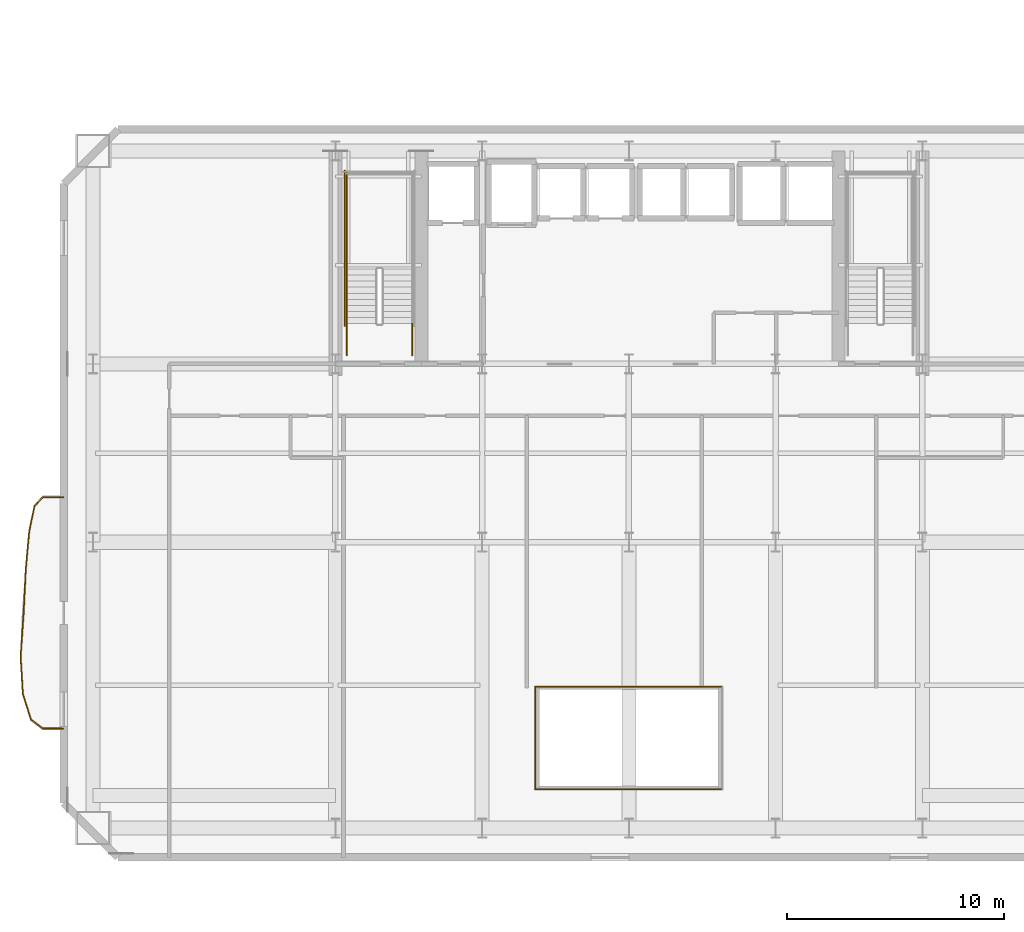
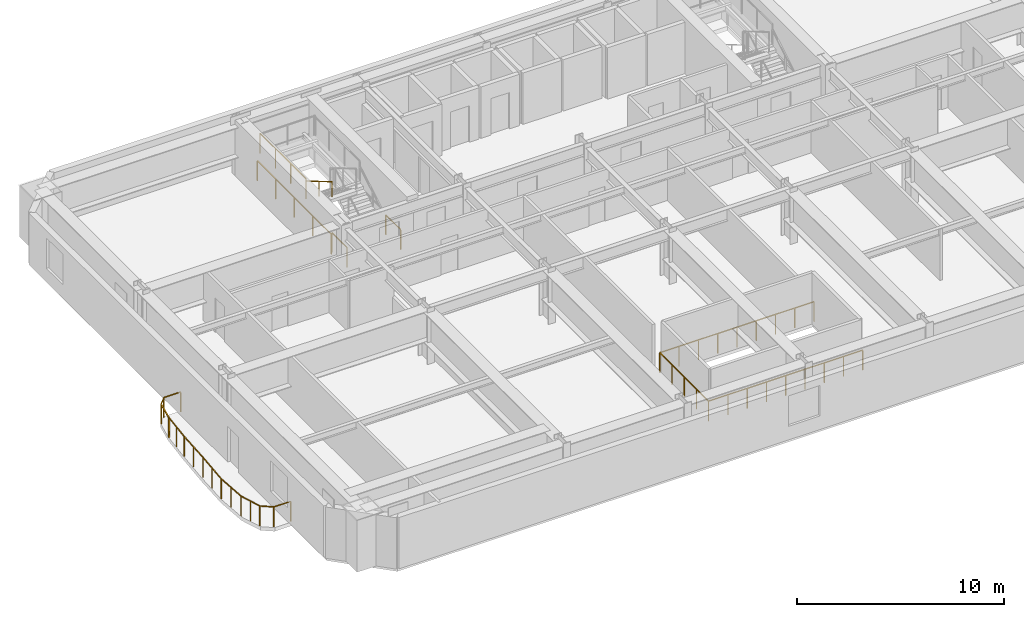
# One storey, part 12 of 18: 18 railings.
"""IFC4 building model written with IfcOpenShell, lengths in metres."""

from ifc_helpers import new_model, si_unit, direction, frame, origin, origin_2d, place, context, subcontext, project, spatial, rectangle, extrude, material, type_object, element, save


model = new_model("IFC4")

# Units and contexts
model_context = context("Model", 3, precision=1e-05, world=origin(), true_north=direction((0.0, 1.0)))
body_context = subcontext(model_context, "Body", "Model", "MODEL_VIEW")
ifc_project = project(units=[si_unit("LENGTHUNIT", "METRE"), si_unit("AREAUNIT", "SQUARE_METRE"), si_unit("VOLUMEUNIT", "CUBIC_METRE"), si_unit("PLANEANGLEUNIT", "RADIAN"), si_unit("MASSUNIT", "GRAM", prefix="KILO")], contexts=[model_context])

# Site, building, storey
site_placement = place(None, origin())
site = spatial("IfcSite", under=ifc_project, at=site_placement, CompositionType="ELEMENT")
building_placement = place(site_placement, origin())
building = spatial("IfcBuilding", under=site, at=building_placement, Name="Haevon Station Towers", CompositionType="ELEMENT")
storey_placement = place(building_placement, frame((0.0, 0.0, 66.89990234375)))
storey = spatial("IfcBuildingStorey", under=building, at=storey_placement, Name="L17", CompositionType="ELEMENT", Elevation=66.89990234375)

# Railings
ifc_material = material(Name="Steel S355", Category="steel")
railing_type_1 = type_object("IfcRailingType", Name="BAL-ATR1200", PredefinedType="BALUSTRADE", material=ifc_material)
railing_1_placement = place(storey_placement, frame((33.19482421875, 18.642333984375, 0.0)))
element("IfcRailing", 1, at=railing_1_placement, inside=storey, type_object=railing_type_1, Name="L17 Atrium Void Balustrade 1", PredefinedType="BALUSTRADE", context=body_context, shape_type="SweptSolid", body=[
    extrude(rectangle(XDim=0.048095703125, YDim=0.048095703125, at=origin_2d()), frame((0.0, 0.0, 1.17578125), z_axis=(1.0, 0.0, 0.0), x_axis=(0.0, 1.0, 0.0)), (0.0, 0.0, 1.0), 8.6103515625),
    extrude(rectangle(XDim=0.0419921875, YDim=0.0419921875, at=origin_2d()), origin(), (0.0, 0.0, 1.0), 1.15185546875),
    extrude(rectangle(XDim=0.0419921875, YDim=0.0419921875, at=origin_2d()), frame((1.076171875, 0.0, 0.0)), (0.0, 0.0, 1.0), 1.15185546875),
    extrude(rectangle(XDim=0.0419921875, YDim=0.0419921875, at=origin_2d()), frame((2.152587890625, 0.0, 0.0)), (0.0, 0.0, 1.0), 1.15185546875),
    extrude(rectangle(XDim=0.0419921875, YDim=0.0419921875, at=origin_2d()), frame((3.22900390625, 0.0, 0.0)), (0.0, 0.0, 1.0), 1.15185546875),
    extrude(rectangle(XDim=0.0419921875, YDim=0.0419921875, at=origin_2d()), frame((4.30517578125, 0.0, 0.0)), (0.0, 0.0, 1.0), 1.15185546875),
    extrude(rectangle(XDim=0.0419921875, YDim=0.0419921875, at=origin_2d()), frame((5.38134765625, 0.0, 0.0)), (0.0, 0.0, 1.0), 1.15185546875),
    extrude(rectangle(XDim=0.0419921875, YDim=0.0419921875, at=origin_2d()), frame((6.457763671875, 0.0, 0.0)), (0.0, 0.0, 1.0), 1.15185546875),
    extrude(rectangle(XDim=0.0419921875, YDim=0.0419921875, at=origin_2d()), frame((7.5341796875, 0.0, 0.0)), (0.0, 0.0, 1.0), 1.15185546875),
    extrude(rectangle(XDim=0.0419921875, YDim=0.0419921875, at=origin_2d()), frame((8.6103515625, 0.0, 0.0)), (0.0, 0.0, 1.0), 1.15185546875),
])
railing_2_placement = place(storey_placement, frame((41.80517578125, 23.357666015625, 0.0)))
element("IfcRailing", 2, at=railing_2_placement, inside=storey, type_object=railing_type_1, Name="L17 Atrium Void Balustrade 3", PredefinedType="BALUSTRADE", context=body_context, shape_type="SweptSolid", body=[
    extrude(rectangle(XDim=0.048095703125, YDim=0.048095703125, at=origin_2d()), frame((0.0, 0.0, 1.17578125), z_axis=(-1.0, 0.0, 0.0), x_axis=(0.0, -1.0, 0.0)), (0.0, 0.0, 1.0), 8.6103515625),
    extrude(rectangle(XDim=0.0419921875, YDim=0.0419921875, at=origin_2d()), origin(), (0.0, 0.0, 1.0), 1.15185546875),
    extrude(rectangle(XDim=0.0419921875, YDim=0.0419921875, at=origin_2d()), frame((-1.076171875, 0.0, 0.0)), (0.0, 0.0, 1.0), 1.15185546875),
    extrude(rectangle(XDim=0.0419921875, YDim=0.0419921875, at=origin_2d()), frame((-2.152587890625, 0.0, 0.0)), (0.0, 0.0, 1.0), 1.15185546875),
    extrude(rectangle(XDim=0.0419921875, YDim=0.0419921875, at=origin_2d()), frame((-3.22900390625, 0.0, 0.0)), (0.0, 0.0, 1.0), 1.15185546875),
    extrude(rectangle(XDim=0.0419921875, YDim=0.0419921875, at=origin_2d()), frame((-4.30517578125, 0.0, 0.0)), (0.0, 0.0, 1.0), 1.15185546875),
    extrude(rectangle(XDim=0.0419921875, YDim=0.0419921875, at=origin_2d()), frame((-5.38134765625, 0.0, 0.0)), (0.0, 0.0, 1.0), 1.15185546875),
    extrude(rectangle(XDim=0.0419921875, YDim=0.0419921875, at=origin_2d()), frame((-6.457763671875, 0.0, 0.0)), (0.0, 0.0, 1.0), 1.15185546875),
    extrude(rectangle(XDim=0.0419921875, YDim=0.0419921875, at=origin_2d()), frame((-7.5341796875, 0.0, 0.0)), (0.0, 0.0, 1.0), 1.15185546875),
    extrude(rectangle(XDim=0.0419921875, YDim=0.0419921875, at=origin_2d()), frame((-8.6103515625, 0.0, 0.0)), (0.0, 0.0, 1.0), 1.15185546875),
])
railing_3_placement = place(storey_placement, frame((33.19482421875, 23.357666015625, 0.0)))
element("IfcRailing", 3, at=railing_3_placement, inside=storey, type_object=railing_type_1, Name="L17 Atrium Void Balustrade 4", PredefinedType="BALUSTRADE", context=body_context, shape_type="SweptSolid", body=[
    extrude(rectangle(XDim=0.048095703125, YDim=0.048095703125, at=origin_2d()), frame((0.0, 0.0, 1.17578125), z_axis=(0.0, -1.0, 0.0), x_axis=(1.0, 0.0, 0.0)), (0.0, 0.0, 1.0), 4.71533203125),
    extrude(rectangle(XDim=0.0419921875, YDim=0.0419921875, at=origin_2d()), origin(), (0.0, 0.0, 1.0), 1.15185546875),
    extrude(rectangle(XDim=0.0419921875, YDim=0.0419921875, at=origin_2d()), frame((0.0, -1.1787109375, 0.0)), (0.0, 0.0, 1.0), 1.15185546875),
    extrude(rectangle(XDim=0.0419921875, YDim=0.0419921875, at=origin_2d()), frame((0.0, -2.357666015625, 0.0)), (0.0, 0.0, 1.0), 1.15185546875),
    extrude(rectangle(XDim=0.0419921875, YDim=0.0419921875, at=origin_2d()), frame((0.0, -3.53662109375, 0.0)), (0.0, 0.0, 1.0), 1.15185546875),
    extrude(rectangle(XDim=0.0419921875, YDim=0.0419921875, at=origin_2d()), frame((0.0, -4.71533203125, 0.0)), (0.0, 0.0, 1.0), 1.15185546875),
])
railing_type_2 = type_object("IfcRailingType", Name="GRD-EXT1200", PredefinedType="GUARDRAIL", material=ifc_material)
railing_4_placement = place(storey_placement, frame((11.476806640625, 32.072021484375, 0.0)))
element("IfcRailing", 4, at=railing_4_placement, inside=storey, type_object=railing_type_2, Name="L17 Perimeter Guardrail 1", PredefinedType="GUARDRAIL", context=body_context, shape_type="SweptSolid", body=[
    extrude(rectangle(XDim=0.048095703125, YDim=0.048095703125, at=origin_2d()), frame((0.0, 0.0, 1.17578125), z_axis=(-0.999997858959, -0.002069317866, 0.0), x_axis=(0.002069317866, -0.999997858959, 0.0)), (0.0, 0.0, 1.0), 0.94384765625),
    extrude(rectangle(XDim=0.0419921875, YDim=0.0419921875, at=origin_2d()), origin(), (0.0, 0.0, 1.0), 1.15185546875),
    extrude(rectangle(XDim=0.0419921875, YDim=0.0419921875, at=origin_2d()), frame((-0.94384765625, -0.001953125, 0.0)), (0.0, 0.0, 1.0), 1.15185546875),
])
railing_5_placement = place(storey_placement, frame((10.532958984375, 32.070068359375, 0.0)))
element("IfcRailing", 5, at=railing_5_placement, inside=storey, type_object=railing_type_2, Name="L17 Perimeter Guardrail 2", PredefinedType="GUARDRAIL", context=body_context, shape_type="SweptSolid", body=[
    extrude(rectangle(XDim=0.048095703125, YDim=0.048095703125, at=origin_2d()), frame((0.0, 0.0, 1.17578125), z_axis=(-0.683306289544, -0.730131847456, 0.0), x_axis=(0.730131847456, -0.683306289544, 0.0)), (0.0, 0.0, 1.0), 0.56298828125),
    extrude(rectangle(XDim=0.0419921875, YDim=0.0419921875, at=origin_2d()), origin(), (0.0, 0.0, 1.0), 1.15185546875),
    extrude(rectangle(XDim=0.0419921875, YDim=0.0419921875, at=origin_2d()), frame((-0.384765625, -0.4111328125, 0.0)), (0.0, 0.0, 1.0), 1.15185546875),
])
railing_6_placement = place(storey_placement, frame((10.148193359375, 31.658935546875, 0.0)))
element("IfcRailing", 6, at=railing_6_placement, inside=storey, type_object=railing_type_2, Name="L17 Perimeter Guardrail 3", PredefinedType="GUARDRAIL", context=body_context, shape_type="SweptSolid", body=[
    extrude(rectangle(XDim=0.048095703125, YDim=0.048095703125, at=origin_2d()), frame((0.0, 0.0, 1.17578125), z_axis=(-0.201497232752, -0.979489083754, 0.0), x_axis=(0.979489083754, -0.201497232752, 0.0)), (0.0, 0.0, 1.0), 1.194580078125),
    extrude(rectangle(XDim=0.0419921875, YDim=0.0419921875, at=origin_2d()), origin(), (0.0, 0.0, 1.0), 1.15185546875),
    extrude(rectangle(XDim=0.0419921875, YDim=0.0419921875, at=origin_2d()), frame((-0.24072265625, -1.170166015625, 0.0)), (0.0, 0.0, 1.0), 1.15185546875),
])
railing_7_placement = place(storey_placement, frame((9.907470703125, 30.48876953125, 0.0)))
element("IfcRailing", 7, at=railing_7_placement, inside=storey, type_object=railing_type_2, Name="L17 Perimeter Guardrail 4", PredefinedType="GUARDRAIL", context=body_context, shape_type="SweptSolid", body=[
    extrude(rectangle(XDim=0.048095703125, YDim=0.048095703125, at=origin_2d()), frame((0.0, 0.0, 1.17578125), z_axis=(-0.090172444535, -0.995926167066, 0.0), x_axis=(0.995926167066, -0.090172444535, 0.0)), (0.0, 0.0, 1.0), 1.757080078125),
    extrude(rectangle(XDim=0.0419921875, YDim=0.0419921875, at=origin_2d()), origin(), (0.0, 0.0, 1.0), 1.15185546875),
    extrude(rectangle(XDim=0.0419921875, YDim=0.0419921875, at=origin_2d()), frame((-0.0791015625, -0.875, 0.0)), (0.0, 0.0, 1.0), 1.15185546875),
    extrude(rectangle(XDim=0.0419921875, YDim=0.0419921875, at=origin_2d()), frame((-0.158447265625, -1.75, 0.0)), (0.0, 0.0, 1.0), 1.15185546875),
])
railing_8_placement = place(storey_placement, frame((9.7490234375, 28.73876953125, 0.0)))
element("IfcRailing", 8, at=railing_8_placement, inside=storey, type_object=railing_type_2, Name="L17 Perimeter Guardrail 5", PredefinedType="GUARDRAIL", context=body_context, shape_type="SweptSolid", body=[
    extrude(rectangle(XDim=0.048095703125, YDim=0.048095703125, at=origin_2d()), frame((0.0, 0.0, 1.17578125), z_axis=(-0.047454457012, -0.998873402644, 0.0), x_axis=(0.998873402644, -0.047454457012, 0.0)), (0.0, 0.0, 1.0), 1.990966796875),
    extrude(rectangle(XDim=0.0419921875, YDim=0.0419921875, at=origin_2d()), origin(), (0.0, 0.0, 1.0), 1.15185546875),
    extrude(rectangle(XDim=0.0419921875, YDim=0.0419921875, at=origin_2d()), frame((-0.04736328125, -0.994384765625, 0.0)), (0.0, 0.0, 1.0), 1.15185546875),
    extrude(rectangle(XDim=0.0419921875, YDim=0.0419921875, at=origin_2d()), frame((-0.094482421875, -1.98876953125, 0.0)), (0.0, 0.0, 1.0), 1.15185546875),
])
railing_9_placement = place(storey_placement, frame((9.654541015625, 26.75, 0.0)))
element("IfcRailing", 9, at=railing_9_placement, inside=storey, type_object=railing_type_2, Name="L17 Perimeter Guardrail 6", PredefinedType="GUARDRAIL", context=body_context, shape_type="SweptSolid", body=[
    extrude(rectangle(XDim=0.048095703125, YDim=0.048095703125, at=origin_2d()), frame((0.0, 0.0, 1.17578125), z_axis=(-0.070082284887, -0.997541213858, 0.0), x_axis=(0.997541213858, -0.070082284887, 0.0)), (0.0, 0.0, 1.0), 1.99609375),
    extrude(rectangle(XDim=0.0419921875, YDim=0.0419921875, at=origin_2d()), origin(), (0.0, 0.0, 1.0), 1.15185546875),
    extrude(rectangle(XDim=0.0419921875, YDim=0.0419921875, at=origin_2d()), frame((-0.06982421875, -0.99560546875, 0.0)), (0.0, 0.0, 1.0), 1.15185546875),
    extrude(rectangle(XDim=0.0419921875, YDim=0.0419921875, at=origin_2d()), frame((-0.139892578125, -1.9912109375, 0.0)), (0.0, 0.0, 1.0), 1.15185546875),
])
railing_10_placement = place(storey_placement, frame((9.5146484375, 24.7587890625, 0.0)))
element("IfcRailing", 10, at=railing_10_placement, inside=storey, type_object=railing_type_2, Name="L17 Perimeter Guardrail 7", PredefinedType="GUARDRAIL", context=body_context, shape_type="SweptSolid", body=[
    extrude(rectangle(XDim=0.048095703125, YDim=0.048095703125, at=origin_2d()), frame((0.0, 0.0, 1.17578125), z_axis=(0.057716779897, -0.99833299721, 0.0), x_axis=(0.99833299721, 0.057716779897, 0.0)), (0.0, 0.0, 1.0), 1.751220703125),
    extrude(rectangle(XDim=0.0419921875, YDim=0.0419921875, at=origin_2d()), origin(), (0.0, 0.0, 1.0), 1.15185546875),
    extrude(rectangle(XDim=0.0419921875, YDim=0.0419921875, at=origin_2d()), frame((0.050537109375, -0.8740234375, 0.0)), (0.0, 0.0, 1.0), 1.15185546875),
    extrude(rectangle(XDim=0.0419921875, YDim=0.0419921875, at=origin_2d()), frame((0.10107421875, -1.748291015625, 0.0)), (0.0, 0.0, 1.0), 1.15185546875),
])
railing_11_placement = place(storey_placement, frame((9.61572265625, 23.010498046875, 0.0)))
element("IfcRailing", 11, at=railing_11_placement, inside=storey, type_object=railing_type_2, Name="L17 Perimeter Guardrail 8", PredefinedType="GUARDRAIL", context=body_context, shape_type="SweptSolid", body=[
    extrude(rectangle(XDim=0.048095703125, YDim=0.048095703125, at=origin_2d()), frame((0.0, 0.0, 1.17578125), z_axis=(0.303187234273, -0.952931005359, 0.0), x_axis=(0.952931005359, 0.303187234273, 0.0)), (0.0, 0.0, 1.0), 1.227294921875),
    extrude(rectangle(XDim=0.0419921875, YDim=0.0419921875, at=origin_2d()), origin(), (0.0, 0.0, 1.0), 1.15185546875),
    extrude(rectangle(XDim=0.0419921875, YDim=0.0419921875, at=origin_2d()), frame((0.18603515625, -0.584716796875, 0.0)), (0.0, 0.0, 1.0), 1.15185546875),
    extrude(rectangle(XDim=0.0419921875, YDim=0.0419921875, at=origin_2d()), frame((0.3720703125, -1.16943359375, 0.0)), (0.0, 0.0, 1.0), 1.15185546875),
])
railing_12_placement = place(storey_placement, frame((9.98779296875, 21.841064453125, 0.0)))
element("IfcRailing", 12, at=railing_12_placement, inside=storey, type_object=railing_type_2, Name="L17 Perimeter Guardrail 9", PredefinedType="GUARDRAIL", context=body_context, shape_type="SweptSolid", body=[
    extrude(rectangle(XDim=0.048095703125, YDim=0.048095703125, at=origin_2d()), frame((0.0, 0.0, 1.17578125), z_axis=(0.798409676693, -0.602114597201, 0.0), x_axis=(0.602114597201, 0.798409676693, 0.0)), (0.0, 0.0, 1.0), 0.682861328125),
    extrude(rectangle(XDim=0.0419921875, YDim=0.0419921875, at=origin_2d()), origin(), (0.0, 0.0, 1.0), 1.15185546875),
    extrude(rectangle(XDim=0.0419921875, YDim=0.0419921875, at=origin_2d()), frame((0.545166015625, -0.4111328125, 0.0)), (0.0, 0.0, 1.0), 1.15185546875),
])
railing_13_placement = place(storey_placement, frame((10.532958984375, 21.429931640625, 0.0)))
element("IfcRailing", 13, at=railing_13_placement, inside=storey, type_object=railing_type_2, Name="L17 Perimeter Guardrail 10", PredefinedType="GUARDRAIL", context=body_context, shape_type="SweptSolid", body=[
    extrude(rectangle(XDim=0.048095703125, YDim=0.048095703125, at=origin_2d()), frame((0.0, 0.0, 1.17578125), z_axis=(0.999997858959, -0.002069317866, 0.0), x_axis=(0.002069317866, 0.999997858959, 0.0)), (0.0, 0.0, 1.0), 0.94384765625),
    extrude(rectangle(XDim=0.0419921875, YDim=0.0419921875, at=origin_2d()), origin(), (0.0, 0.0, 1.0), 1.15185546875),
    extrude(rectangle(XDim=0.0419921875, YDim=0.0419921875, at=origin_2d()), frame((0.94384765625, -0.001953125, 0.0)), (0.0, 0.0, 1.0), 1.15185546875),
])
railing_type_3 = type_object("IfcRailingType", Name="GRD-STR1200", PredefinedType="GUARDRAIL", material=ifc_material)
railing_14_placement = place(storey_placement, frame((24.530029296875, 42.570068359375, 1.650146484375)))
element("IfcRailing", 14, at=railing_14_placement, inside=storey, type_object=railing_type_3, Name="L17 ST1 Stair Guard 4", PredefinedType="GUARDRAIL", context=body_context, shape_type="SweptSolid", body=[
    extrude(rectangle(XDim=0.048095703125, YDim=0.048095703125, at=origin_2d()), frame((0.0, 0.0, 1.17578125), z_axis=(0.0, 1.0, 0.0), x_axis=(-1.0, 0.0, 0.0)), (0.0, 0.0, 1.0), 4.429931640625),
    extrude(rectangle(XDim=0.0419921875, YDim=0.0419921875, at=origin_2d()), origin(), (0.0, 0.0, 1.0), 1.15185546875),
    extrude(rectangle(XDim=0.0419921875, YDim=0.0419921875, at=origin_2d()), frame((0.0, 1.4765625, 0.0)), (0.0, 0.0, 1.0), 1.15185546875),
    extrude(rectangle(XDim=0.0419921875, YDim=0.0419921875, at=origin_2d()), frame((0.0, 2.953369140625, 0.0)), (0.0, 0.0, 1.0), 1.15185546875),
    extrude(rectangle(XDim=0.0419921875, YDim=0.0419921875, at=origin_2d()), frame((0.0, 4.429931640625, 0.0)), (0.0, 0.0, 1.0), 1.15185546875),
])
for number, where, name in (
    (15, (27.530029296875, 38.60009765625, 0.0), "L17 ST1 Stair Guard 8"),
    (16, (24.530029296875, 38.60009765625, 0.0), "L17 ST1 Stair Guard 9"),
):
    element("IfcRailing", number, at=place(storey_placement, frame(where)), inside=storey, type_object=railing_type_3, Name=name, PredefinedType="GUARDRAIL", context=body_context, shape_type="SweptSolid", body=[
        extrude(rectangle(XDim=0.048095703125, YDim=0.048095703125, at=origin_2d()), frame((0.0, 0.0, 1.17578125), z_axis=(0.0, 1.0, 0.0), x_axis=(-1.0, 0.0, 0.0)), (0.0, 0.0, 1.0), 1.449951171875),
        extrude(rectangle(XDim=0.0419921875, YDim=0.0419921875, at=origin_2d()), origin(), (0.0, 0.0, 1.0), 1.15185546875),
        extrude(rectangle(XDim=0.0419921875, YDim=0.0419921875, at=origin_2d()), frame((0.0, 1.449951171875, 0.0)), (0.0, 0.0, 1.0), 1.15185546875),
    ])
railing_15_placement = place(storey_placement, frame((24.429931640625, 39.949951171875, 0.0)))
element("IfcRailing", 17, at=railing_15_placement, inside=storey, type_object=railing_type_3, Name="L17 ST1 Stair Guard 11", PredefinedType="GUARDRAIL", context=body_context, shape_type="SweptSolid", body=[
    extrude(rectangle(XDim=0.048095703125, YDim=0.048095703125, at=origin_2d()), frame((0.0, 0.0, 1.17578125), z_axis=(0.0, 1.0, 0.0), x_axis=(-1.0, 0.0, 0.0)), (0.0, 0.0, 1.0), 7.150146484375),
    extrude(rectangle(XDim=0.0419921875, YDim=0.0419921875, at=origin_2d()), origin(), (0.0, 0.0, 1.0), 1.15185546875),
    extrude(rectangle(XDim=0.0419921875, YDim=0.0419921875, at=origin_2d()), frame((0.0, 1.78759765625, 0.0)), (0.0, 0.0, 1.0), 1.15185546875),
    extrude(rectangle(XDim=0.0419921875, YDim=0.0419921875, at=origin_2d()), frame((0.0, 3.5751953125, 0.0)), (0.0, 0.0, 1.0), 1.15185546875),
    extrude(rectangle(XDim=0.0419921875, YDim=0.0419921875, at=origin_2d()), frame((0.0, 5.362548828125, 0.0)), (0.0, 0.0, 1.0), 1.15185546875),
    extrude(rectangle(XDim=0.0419921875, YDim=0.0419921875, at=origin_2d()), frame((0.0, 7.150146484375, 0.0)), (0.0, 0.0, 1.0), 1.15185546875),
])
railing_type_4 = type_object("IfcRailingType", Name="HND-STR900", PredefinedType="HANDRAIL", material=ifc_material)
railing_16_placement = place(storey_placement, frame((24.530029296875, 42.570068359375, 1.815185546875)))
element("IfcRailing", 18, at=railing_16_placement, inside=storey, type_object=railing_type_4, Name="L17 ST1 Stair Handrail 2", PredefinedType="HANDRAIL", context=body_context, shape_type="SweptSolid", body=[
    extrude(rectangle(XDim=0.048095703125, YDim=0.048095703125, at=origin_2d()), frame((0.0, 0.0, 0.8759765625), z_axis=(0.0, -0.861560626758, 0.507654692109), x_axis=(1.0, 0.0, 0.0)), (0.0, 0.0, 1.0), 2.925048828125),
    extrude(rectangle(XDim=0.0419921875, YDim=0.0419921875, at=origin_2d()), origin(), (0.0, 0.0, 1.0), 0.851806640625),
    extrude(rectangle(XDim=0.0419921875, YDim=0.0419921875, at=origin_2d()), frame((0.0, -1.260009765625, 0.742431640625)), (0.0, 0.0, 1.0), 0.851806640625),
    extrude(rectangle(XDim=0.0419921875, YDim=0.0419921875, at=origin_2d()), frame((0.0, -2.52001953125, 1.48486328125)), (0.0, 0.0, 1.0), 0.851806640625),
])

save(model, "model.ifc")
